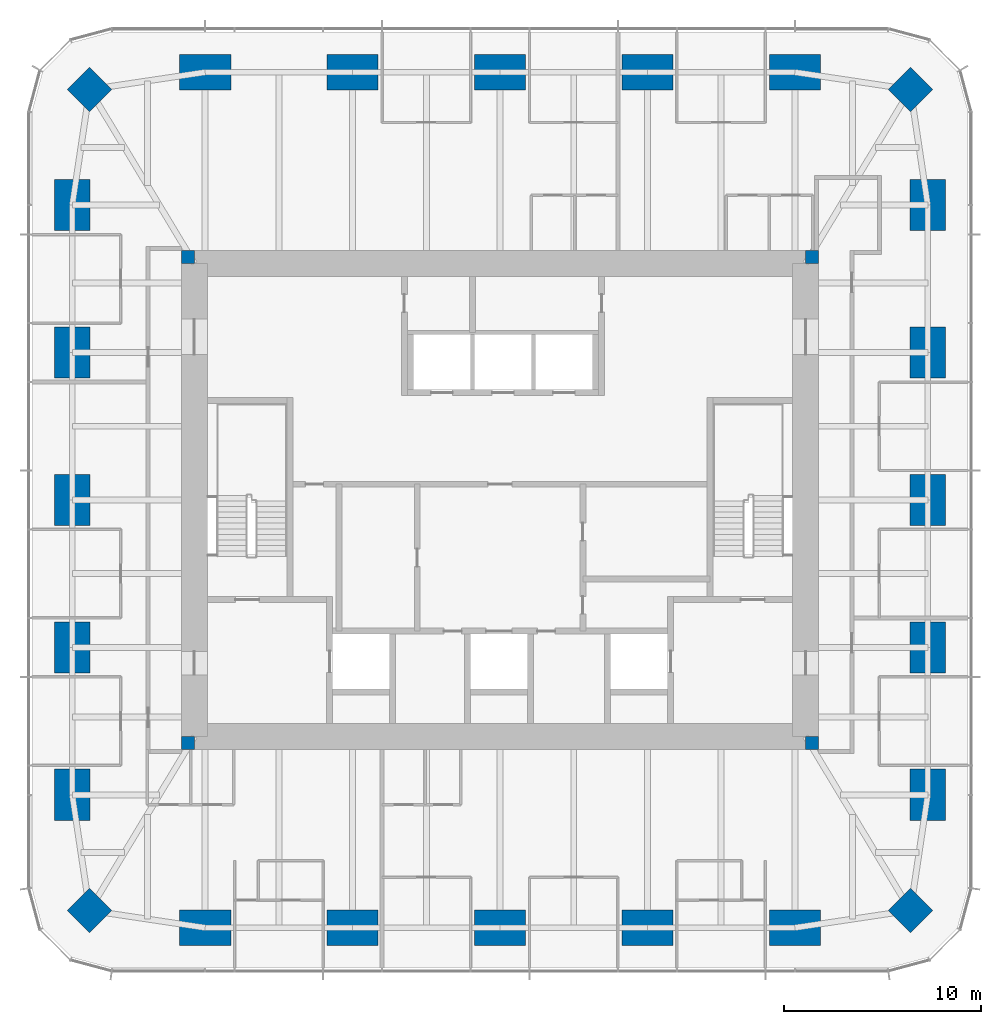
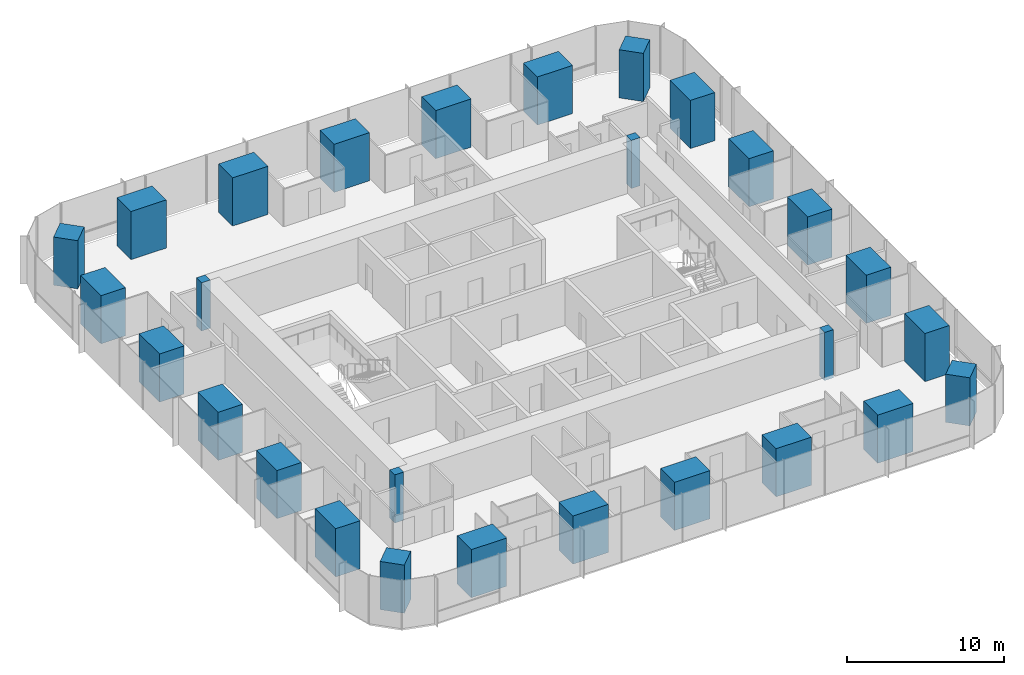
# One storey, part 1 of 12: 28 columns.
"""IFC4 building model written with IfcOpenShell, lengths in metres."""

from ifc_helpers import new_model, si_unit, direction, frame, origin, origin_2d, place, context, subcontext, project, spatial, rectangle, extrude, material, material_profile, profile_set, type_object, element, save


model = new_model("IFC4")

# Units and contexts
model_context = context("Model", 3, precision=1e-05, world=origin(), true_north=direction((0.0, 1.0)))
body_context = subcontext(model_context, "Body", "Model", "MODEL_VIEW")
ifc_project = project(units=[si_unit("LENGTHUNIT", "METRE"), si_unit("AREAUNIT", "SQUARE_METRE"), si_unit("VOLUMEUNIT", "CUBIC_METRE"), si_unit("PLANEANGLEUNIT", "RADIAN"), si_unit("MASSUNIT", "GRAM", prefix="KILO")], contexts=[model_context])

# Site, building, storey
site_placement = place(None, origin())
site = spatial("IfcSite", under=ifc_project, at=site_placement, CompositionType="ELEMENT")
building_placement = place(site_placement, origin())
building = spatial("IfcBuilding", under=site, at=building_placement, Name="Khuree Lantern Residences", CompositionType="ELEMENT")
storey_placement = place(building_placement, frame((0.0, 0.0, 289.5)))
storey = spatial("IfcBuildingStorey", under=building, at=storey_placement, Name="L72", CompositionType="ELEMENT", Elevation=289.5)

# Columns
ifc_material_1 = material(Name="Concrete C70/85", Category="concrete")
ifc_material_profile_1 = material_profile(ifc_material_1, rectangle(XDim=1.60009765625, YDim=1.60009765625, at=origin_2d()), Name="RC 1600X1600")
ifc_profile_set_1 = profile_set([ifc_material_profile_1], Name="Concrete C70/85")
column_type_1 = type_object("IfcColumnType", Name="CC1600A PERIMETER CORNER COLUMN RC 1600X1600", PredefinedType="COLUMN", material=ifc_profile_set_1)
for number, where, z_axis, x_axis, name in (
    (1, (20.8212890625, 20.8212890625, 0.0), (0.0, 0.0, 1.0), (0.707106781187, -0.707106781187, 0.0), "Perimeter column NE"),
    (2, (20.8212890625, -20.8212890625, 0.0), (0.0, 0.0, 1.0), (0.707106781187, 0.707106781187, 0.0), "Perimeter column SE"),
    (3, (-20.8212890625, -20.8212890625, 0.0), (0.0, 0.0, 1.0), (0.707106781187, -0.707106781187, 0.0), "Perimeter column SW"),
    (4, (-20.8212890625, 20.8212890625, 0.0), (0.0, 0.0, 1.0), (0.707106781187, 0.707106781187, 0.0), "Perimeter column NW"),
):
    element("IfcColumn", number, at=place(storey_placement, frame(where, z_axis=z_axis, x_axis=x_axis)), inside=storey, type_object=column_type_1, Name=name, PredefinedType="COLUMN", context=body_context, shape_type="SweptSolid", body=[
        extrude(rectangle(XDim=1.60009765625, YDim=1.60009765625, at=origin_2d()), origin(), (0.0, 0.0, 1.0), 3.75),
    ])
ifc_material_2 = material(Name="Concrete C50/60", Category="concrete")
ifc_material_profile_2 = material_profile(ifc_material_2, rectangle(XDim=0.64990234375, YDim=0.64990234375, at=origin_2d()), Name="RC 650X650")
ifc_profile_set_2 = profile_set([ifc_material_profile_2], Name="Concrete C50/60")
column_type_2 = type_object("IfcColumnType", Name="CP650-C50 CORE CORNER PIER C50 RC 650X650", PredefinedType="COLUMN", material=ifc_profile_set_2)
for number, where, z_axis, x_axis, name in (
    (5, (15.824951171875, 12.324951171875, -0.25), (0.0, 0.0, 1.0), (1.0, 0.0, 0.0), "Core corner pier NE"),
    (6, (-15.824951171875, 12.324951171875, -0.25), (0.0, 0.0, 1.0), (1.0, 0.0, 0.0), "Core corner pier NW"),
    (7, (-15.824951171875, -12.324951171875, -0.25), (0.0, 0.0, 1.0), (1.0, 0.0, 0.0), "Core corner pier SW"),
    (8, (15.824951171875, -12.324951171875, -0.25), (0.0, 0.0, 1.0), (1.0, 0.0, 0.0), "Core corner pier SE"),
):
    element("IfcColumn", number, at=place(storey_placement, frame(where, z_axis=z_axis, x_axis=x_axis)), inside=storey, type_object=column_type_2, Name=name, PredefinedType="COLUMN", context=body_context, shape_type="SweptSolid", body=[
        extrude(rectangle(XDim=0.64990234375, YDim=0.64990234375, at=origin_2d()), origin(), (0.0, 0.0, 1.0), 3.75),
    ])
ifc_material_profile_3 = material_profile(ifc_material_1, rectangle(XDim=2.60009765625, YDim=1.800048828125, at=origin_2d()), Name="RC 2600X1800")
ifc_profile_set_3 = profile_set([ifc_material_profile_3], Name="Concrete C70/85")
column_type_3 = type_object("IfcColumnType", Name="PC3 PERIMETER COLUMN RC 2600X1800", PredefinedType="COLUMN", material=ifc_profile_set_3)
for number, where, z_axis, x_axis, name in (
    (9, (-14.9599609375, 21.699951171875, 0.0), (0.0, 0.0, 1.0), (1.0, 0.0, 0.0), "Perimeter column N1"),
    (10, (-7.47998046875, 21.699951171875, 0.0), (0.0, 0.0, 1.0), (1.0, 0.0, 0.0), "Perimeter column N2"),
    (11, (0.0, 21.699951171875, 0.0), (0.0, 0.0, 1.0), (1.0, 0.0, 0.0), "Perimeter column N3"),
    (12, (7.47998046875, 21.699951171875, 0.0), (0.0, 0.0, 1.0), (1.0, 0.0, 0.0), "Perimeter column N4"),
    (13, (14.9599609375, 21.699951171875, 0.0), (0.0, 0.0, 1.0), (1.0, 0.0, 0.0), "Perimeter column N5"),
    (14, (21.699951171875, 14.9599609375, 0.0), (0.0, 0.0, 1.0), (0.0, 1.0, 0.0), "Perimeter column E1"),
    (15, (21.699951171875, 7.47998046875, 0.0), (0.0, 0.0, 1.0), (0.0, 1.0, 0.0), "Perimeter column E2"),
    (16, (21.699951171875, 0.0, 0.0), (0.0, 0.0, 1.0), (0.0, 1.0, 0.0), "Perimeter column E3"),
    (17, (21.699951171875, -7.47998046875, 0.0), (0.0, 0.0, 1.0), (0.0, 1.0, 0.0), "Perimeter column E4"),
    (18, (21.699951171875, -14.9599609375, 0.0), (0.0, 0.0, 1.0), (0.0, 1.0, 0.0), "Perimeter column E5"),
    (19, (14.9599609375, -21.699951171875, 0.0), (0.0, 0.0, 1.0), (1.0, 0.0, 0.0), "Perimeter column S1"),
    (20, (7.47998046875, -21.699951171875, 0.0), (0.0, 0.0, 1.0), (1.0, 0.0, 0.0), "Perimeter column S2"),
    (21, (0.0, -21.699951171875, 0.0), (0.0, 0.0, 1.0), (1.0, 0.0, 0.0), "Perimeter column S3"),
    (22, (-7.47998046875, -21.699951171875, 0.0), (0.0, 0.0, 1.0), (1.0, 0.0, 0.0), "Perimeter column S4"),
    (23, (-14.9599609375, -21.699951171875, 0.0), (0.0, 0.0, 1.0), (1.0, 0.0, 0.0), "Perimeter column S5"),
    (24, (-21.699951171875, -14.9599609375, 0.0), (0.0, 0.0, 1.0), (0.0, 1.0, 0.0), "Perimeter column W1"),
    (25, (-21.699951171875, -7.47998046875, 0.0), (0.0, 0.0, 1.0), (0.0, 1.0, 0.0), "Perimeter column W2"),
    (26, (-21.699951171875, 0.0, 0.0), (0.0, 0.0, 1.0), (0.0, 1.0, 0.0), "Perimeter column W3"),
    (27, (-21.699951171875, 7.47998046875, 0.0), (0.0, 0.0, 1.0), (0.0, 1.0, 0.0), "Perimeter column W4"),
    (28, (-21.699951171875, 14.9599609375, 0.0), (0.0, 0.0, 1.0), (0.0, 1.0, 0.0), "Perimeter column W5"),
):
    element("IfcColumn", number, at=place(storey_placement, frame(where, z_axis=z_axis, x_axis=x_axis)), inside=storey, type_object=column_type_3, Name=name, PredefinedType="COLUMN", context=body_context, shape_type="SweptSolid", body=[
        extrude(rectangle(XDim=2.60009765625, YDim=1.800048828125, at=origin_2d()), origin(), (0.0, 0.0, 1.0), 3.75),
    ])

save(model, "model.ifc")
